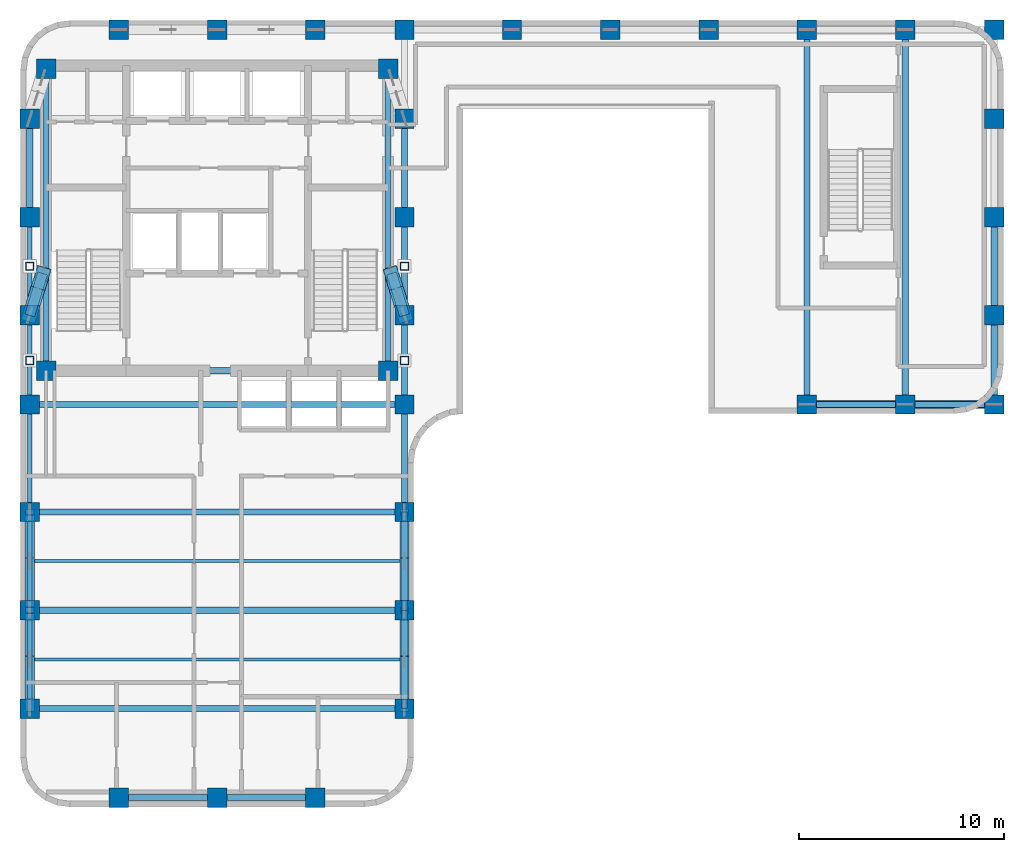
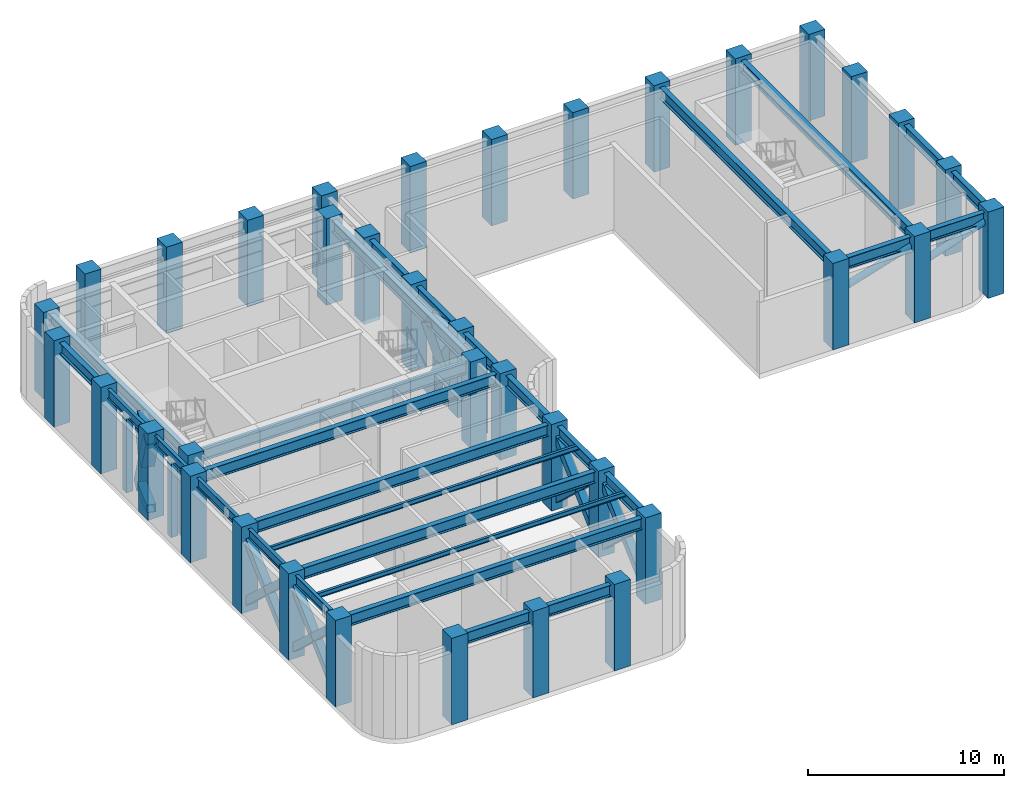
# One storey, part 1 of 9: 37 columns, 29 beams, 28 members.
"""IFC4 building model written with IfcOpenShell, lengths in metres."""

from ifc_helpers import new_model, si_unit, direction, frame, origin, origin_2d, place, context, subcontext, project, spatial, rectangle, hollow_rectangle, hollow_circle, i_section, extrude, material, material_profile, profile_set, type_object, element, save


model = new_model("IFC4")

# Units and contexts
model_context = context("Model", 3, precision=1e-05, world=origin(), true_north=direction((0.0, 1.0)))
body_context = subcontext(model_context, "Body", "Model", "MODEL_VIEW")
ifc_project = project(units=[si_unit("LENGTHUNIT", "METRE"), si_unit("AREAUNIT", "SQUARE_METRE"), si_unit("VOLUMEUNIT", "CUBIC_METRE"), si_unit("PLANEANGLEUNIT", "RADIAN"), si_unit("MASSUNIT", "GRAM", prefix="KILO")], contexts=[model_context])

# Site, building, storey
site_placement = place(None, origin())
site = spatial("IfcSite", under=ifc_project, at=site_placement, CompositionType="ELEMENT")
building_placement = place(site_placement, origin())
building = spatial("IfcBuilding", under=site, at=building_placement, Name="Orvandelia Arch Residences", CompositionType="ELEMENT")
storey_placement = place(building_placement, frame((0.0, 0.0, 198.39990234375)))
storey = spatial("IfcBuildingStorey", under=building, at=storey_placement, Name="L52", CompositionType="ELEMENT", Elevation=198.39990234375)

# Columns
ifc_material_1 = material(Name="Concrete C60/75", Category="concrete")
ifc_material_profile_1 = material_profile(ifc_material_1, rectangle(XDim=0.949951171875, YDim=0.949951171875, at=origin_2d()), Name="Concrete C60/75", Category="concrete")
ifc_profile_set_1 = profile_set([ifc_material_profile_1], Name="Concrete C60/75")
column_type = type_object("IfcColumnType", Name="COL-TWR-950", PredefinedType="COLUMN", material=ifc_profile_set_1)
for number, where, z_axis, x_axis, name in (
    (1, (5.25, 14.39990234375, 0.0), (0.0, 0.0, 1.0), (1.0, 0.0, 0.0), "Structural Column L52-W-W-144"),
    (2, (5.25, 19.199951171875, 0.0), (0.0, 0.0, 1.0), (1.0, 0.0, 0.0), "Structural Column L52-W-W-192"),
    (3, (5.25, 24.0, 0.0), (0.0, 0.0, 1.0), (1.0, 0.0, 0.0), "Structural Column L52-W-W-240"),
    (4, (5.25, 29.25, 0.0), (0.0, 0.0, 1.0), (1.0, 0.0, 0.0), "Structural Column L52-W-W-292"),
    (5, (5.25, 33.60009765625, 0.0), (0.0, 0.0, 1.0), (1.0, 0.0, 0.0), "Structural Column L52-W-W-336"),
    (6, (5.25, 38.39990234375, 0.0), (0.0, 0.0, 1.0), (1.0, 0.0, 0.0), "Structural Column L52-W-W-384"),
    (7, (5.25, 43.199951171875, 0.0), (0.0, 0.0, 1.0), (1.0, 0.0, 0.0), "Structural Column L52-W-W-432"),
    (8, (6.050048828125, 30.89990234375, 0.0), (0.0, 0.0, 1.0), (1.0, 0.0, 0.0), "Structural Column L52-CR-SW"),
    (9, (6.050048828125, 45.64990234375, 0.0), (0.0, 0.0, 1.0), (1.0, 0.0, 0.0), "Structural Column L52-CR-NW"),
    (10, (9.60009765625, 10.050048828125, 0.0), (0.0, 0.0, 1.0), (1.0, 0.0, 0.0), "Structural Column L52-W-S-96"),
    (11, (9.60009765625, 47.550048828125, 0.0), (0.0, 0.0, 1.0), (1.0, 0.0, 0.0), "Structural Column L52-W-N-96"),
    (12, (14.39990234375, 10.050048828125, 0.0), (0.0, 0.0, 1.0), (1.0, 0.0, 0.0), "Structural Column L52-W-S-144"),
    (13, (14.39990234375, 47.550048828125, 0.0), (0.0, 0.0, 1.0), (1.0, 0.0, 0.0), "Structural Column L52-W-N-144"),
    (14, (19.199951171875, 10.050048828125, 0.0), (0.0, 0.0, 1.0), (1.0, 0.0, 0.0), "Structural Column L52-W-S-192"),
    (15, (19.199951171875, 47.550048828125, 0.0), (0.0, 0.0, 1.0), (1.0, 0.0, 0.0), "Structural Column L52-W-N-192"),
    (16, (22.75, 30.89990234375, 0.0), (0.0, 0.0, 1.0), (1.0, 0.0, 0.0), "Structural Column L52-CR-SE"),
    (17, (22.75, 45.64990234375, 0.0), (0.0, 0.0, 1.0), (1.0, 0.0, 0.0), "Structural Column L52-CR-NE"),
    (18, (23.550048828125, 14.39990234375, 0.0), (0.0, 0.0, 1.0), (1.0, 0.0, 0.0), "Structural Column L52-W-E-144"),
    (19, (23.550048828125, 19.199951171875, 0.0), (0.0, 0.0, 1.0), (1.0, 0.0, 0.0), "Structural Column L52-W-E-192"),
    (20, (23.550048828125, 24.0, 0.0), (0.0, 0.0, 1.0), (1.0, 0.0, 0.0), "Structural Column L52-W-E-240"),
    (21, (23.550048828125, 29.25, 0.0), (0.0, 0.0, 1.0), (1.0, 0.0, 0.0), "Structural Column L52-W-E-292"),
    (22, (23.550048828125, 33.60009765625, 0.0), (0.0, 0.0, 1.0), (1.0, 0.0, 0.0), "Structural Column L52-W-E-336"),
    (23, (23.550048828125, 38.39990234375, 0.0), (0.0, 0.0, 1.0), (1.0, 0.0, 0.0), "Structural Column L52-W-E-384"),
    (24, (23.550048828125, 43.199951171875, 0.0), (0.0, 0.0, 1.0), (1.0, 0.0, 0.0), "Structural Column L52-W-E-432"),
    (25, (23.550048828125, 47.550048828125, 0.0), (0.0, 0.0, 1.0), (1.0, 0.0, 0.0), "Structural Column L52-W-N-235"),
    (26, (28.800048828125, 47.550048828125, 0.0), (0.0, 0.0, 1.0), (1.0, 0.0, 0.0), "Structural Column L52-E-N-288"),
    (27, (33.60009765625, 47.550048828125, 0.0), (0.0, 0.0, 1.0), (1.0, 0.0, 0.0), "Structural Column L52-E-N-336"),
    (28, (38.39990234375, 47.550048828125, 0.0), (0.0, 0.0, 1.0), (1.0, 0.0, 0.0), "Structural Column L52-E-N-384"),
    (29, (43.199951171875, 29.25, 0.0), (0.0, 0.0, 1.0), (1.0, 0.0, 0.0), "Structural Column L52-E-S-432"),
    (30, (43.199951171875, 47.550048828125, 0.0), (0.0, 0.0, 1.0), (1.0, 0.0, 0.0), "Structural Column L52-E-N-432"),
    (31, (48.0, 29.25, 0.0), (0.0, 0.0, 1.0), (1.0, 0.0, 0.0), "Structural Column L52-E-S-480"),
    (32, (48.0, 47.550048828125, 0.0), (0.0, 0.0, 1.0), (1.0, 0.0, 0.0), "Structural Column L52-E-N-480"),
    (33, (52.35009765625, 29.25, 0.0), (0.0, 0.0, 1.0), (1.0, 0.0, 0.0), "Structural Column L52-E-S-523"),
    (34, (52.35009765625, 33.60009765625, 0.0), (0.0, 0.0, 1.0), (1.0, 0.0, 0.0), "Structural Column L52-E-523-336"),
    (35, (52.35009765625, 38.39990234375, 0.0), (0.0, 0.0, 1.0), (1.0, 0.0, 0.0), "Structural Column L52-E-523-384"),
    (36, (52.35009765625, 43.199951171875, 0.0), (0.0, 0.0, 1.0), (1.0, 0.0, 0.0), "Structural Column L52-E-523-432"),
    (37, (52.35009765625, 47.550048828125, 0.0), (0.0, 0.0, 1.0), (1.0, 0.0, 0.0), "Structural Column L52-E-N-523"),
):
    element("IfcColumn", number, at=place(storey_placement, frame(where, z_axis=z_axis, x_axis=x_axis)), inside=storey, type_object=column_type, Name=name, PredefinedType="COLUMN", context=body_context, shape_type="SweptSolid", body=[
        extrude(rectangle(XDim=0.949951171875, YDim=0.949951171875, at=origin_2d()), origin(), (0.0, 0.0, 1.0), 5.400146484375),
    ])

# Beams
ifc_material_2 = material(Name="Structural Steel SM355 (355 MPa)", Category="steel")
ifc_material_profile_2 = material_profile(ifc_material_2, i_section(OverallWidth=0.300048828125, OverallDepth=0.699951171875, WebThickness=0.012939453125, FlangeThickness=0.02392578125, FilletRadius=0.02392578125, at=origin_2d()), Name="Structural Steel SM355 (355 MPa)", Category="steel")
ifc_profile_set_2 = profile_set([ifc_material_profile_2], Name="Structural Steel SM355 (355 MPa)")
beam_type_1 = type_object("IfcBeamType", Name="BM-GRD-H700", PredefinedType="BEAM", material=ifc_profile_set_2)
beam_1_placement = place(storey_placement, frame((5.25, 38.39990234375, 4.830078125), z_axis=(0.0, 1.0, 0.0), x_axis=(-1.0, 0.0, 0.0)))
element("IfcBeam", 38, at=beam_1_placement, inside=storey, type_object=beam_type_1, Name="Structural Frame Beam L52-NS-006", PredefinedType="BEAM", context=body_context, shape_type="SweptSolid", body=[
    extrude(i_section(OverallWidth=0.300048828125, OverallDepth=0.699951171875, WebThickness=0.012939453125, FlangeThickness=0.02392578125, FilletRadius=0.02392578125, at=origin_2d()), origin(), (0.0, 0.0, 1.0), 4.800048828125),
])
for number, where, z_axis, x_axis, name in (
    (39, (6.050048828125, 30.89990234375, 4.830078125), (0.0, 1.0, 0.0), (-1.0, 0.0, 0.0), "Structural Frame Beam L52-NS-007"),
    (40, (22.75, 30.89990234375, 4.830078125), (0.0, 1.0, 0.0), (-1.0, 0.0, 0.0), "Structural Frame Beam L52-NS-008"),
):
    element("IfcBeam", number, at=place(storey_placement, frame(where, z_axis=z_axis, x_axis=x_axis)), inside=storey, type_object=beam_type_1, Name=name, PredefinedType="BEAM", context=body_context, shape_type="SweptSolid", body=[
        extrude(i_section(OverallWidth=0.300048828125, OverallDepth=0.699951171875, WebThickness=0.012939453125, FlangeThickness=0.02392578125, FilletRadius=0.02392578125, at=origin_2d()), origin(), (0.0, 0.0, 1.0), 14.75),
    ])
for number, where, z_axis, x_axis, name in (
    (41, (23.550048828125, 14.39990234375, 4.830078125), (0.0, 1.0, 0.0), (-1.0, 0.0, 0.0), "Structural Frame Beam L52-NS-009"),
    (42, (23.550048828125, 19.199951171875, 4.830078125), (0.0, 1.0, 0.0), (-1.0, 0.0, 0.0), "Structural Frame Beam L52-NS-010"),
):
    element("IfcBeam", number, at=place(storey_placement, frame(where, z_axis=z_axis, x_axis=x_axis)), inside=storey, type_object=beam_type_1, Name=name, PredefinedType="BEAM", context=body_context, shape_type="SweptSolid", body=[
        extrude(i_section(OverallWidth=0.300048828125, OverallDepth=0.699951171875, WebThickness=0.012939453125, FlangeThickness=0.02392578125, FilletRadius=0.02392578125, at=origin_2d()), origin(), (0.0, 0.0, 1.0), 4.800048828125),
    ])
beam_2_placement = place(storey_placement, frame((23.550048828125, 24.0, 4.830078125), z_axis=(0.0, 1.0, 0.0), x_axis=(-1.0, 0.0, 0.0)))
element("IfcBeam", 43, at=beam_2_placement, inside=storey, type_object=beam_type_1, Name="Structural Frame Beam L52-NS-011", PredefinedType="BEAM", context=body_context, shape_type="SweptSolid", body=[
    extrude(i_section(OverallWidth=0.300048828125, OverallDepth=0.699951171875, WebThickness=0.012939453125, FlangeThickness=0.02392578125, FilletRadius=0.02392578125, at=origin_2d()), origin(), (0.0, 0.0, 1.0), 5.25),
])
beam_3_placement = place(storey_placement, frame((23.550048828125, 29.25, 4.830078125), z_axis=(0.0, 1.0, 0.0), x_axis=(-1.0, 0.0, 0.0)))
element("IfcBeam", 44, at=beam_3_placement, inside=storey, type_object=beam_type_1, Name="Structural Frame Beam L52-NS-012", PredefinedType="BEAM", context=body_context, shape_type="SweptSolid", body=[
    extrude(i_section(OverallWidth=0.300048828125, OverallDepth=0.699951171875, WebThickness=0.012939453125, FlangeThickness=0.02392578125, FilletRadius=0.02392578125, at=origin_2d()), origin(), (0.0, 0.0, 1.0), 4.35009765625),
])
beam_4_placement = place(storey_placement, frame((23.550048828125, 33.60009765625, 4.830078125), z_axis=(0.0, 1.0, 0.0), x_axis=(-1.0, 0.0, 0.0)))
element("IfcBeam", 45, at=beam_4_placement, inside=storey, type_object=beam_type_1, Name="Structural Frame Beam L52-NS-013", PredefinedType="BEAM", context=body_context, shape_type="SweptSolid", body=[
    extrude(i_section(OverallWidth=0.300048828125, OverallDepth=0.699951171875, WebThickness=0.012939453125, FlangeThickness=0.02392578125, FilletRadius=0.02392578125, at=origin_2d()), origin(), (0.0, 0.0, 1.0), 4.7998046875),
])
beam_5_placement = place(storey_placement, frame((23.550048828125, 38.39990234375, 4.830078125), z_axis=(0.0, 1.0, 0.0), x_axis=(-1.0, 0.0, 0.0)))
element("IfcBeam", 46, at=beam_5_placement, inside=storey, type_object=beam_type_1, Name="Structural Frame Beam L52-NS-014", PredefinedType="BEAM", context=body_context, shape_type="SweptSolid", body=[
    extrude(i_section(OverallWidth=0.300048828125, OverallDepth=0.699951171875, WebThickness=0.012939453125, FlangeThickness=0.02392578125, FilletRadius=0.02392578125, at=origin_2d()), origin(), (0.0, 0.0, 1.0), 4.800048828125),
])
for number, where, z_axis, x_axis, name in (
    (47, (43.199951171875, 29.25, 4.830078125), (0.0, 1.0, 0.0), (-1.0, 0.0, 0.0), "Structural Frame Beam L52-NS-016"),
    (48, (48.0, 29.25, 4.830078125), (0.0, 1.0, 0.0), (-1.0, 0.0, 0.0), "Structural Frame Beam L52-NS-017"),
):
    element("IfcBeam", number, at=place(storey_placement, frame(where, z_axis=z_axis, x_axis=x_axis)), inside=storey, type_object=beam_type_1, Name=name, PredefinedType="BEAM", context=body_context, shape_type="SweptSolid", body=[
        extrude(i_section(OverallWidth=0.300048828125, OverallDepth=0.699951171875, WebThickness=0.012939453125, FlangeThickness=0.02392578125, FilletRadius=0.02392578125, at=origin_2d()), origin(), (0.0, 0.0, 1.0), 18.300048828125),
    ])
beam_6_placement = place(storey_placement, frame((52.35009765625, 29.25, 4.830078125), z_axis=(0.0, 1.0, 0.0), x_axis=(-1.0, 0.0, 0.0)))
element("IfcBeam", 49, at=beam_6_placement, inside=storey, type_object=beam_type_1, Name="Structural Frame Beam L52-NS-018", PredefinedType="BEAM", context=body_context, shape_type="SweptSolid", body=[
    extrude(i_section(OverallWidth=0.300048828125, OverallDepth=0.699951171875, WebThickness=0.012939453125, FlangeThickness=0.02392578125, FilletRadius=0.02392578125, at=origin_2d()), origin(), (0.0, 0.0, 1.0), 4.35009765625),
])
for number, where, z_axis, x_axis, name in (
    (50, (52.35009765625, 33.60009765625, 4.830078125), (0.0, 1.0, 0.0), (-1.0, 0.0, 0.0), "Structural Frame Beam L52-NS-019"),
    (51, (9.60009765625, 10.050048828125, 4.830078125), (1.0, 0.0, 0.0), (0.0, 1.0, 0.0), "Structural Frame Girder L52-EW-022"),
):
    element("IfcBeam", number, at=place(storey_placement, frame(where, z_axis=z_axis, x_axis=x_axis)), inside=storey, type_object=beam_type_1, Name=name, PredefinedType="BEAM", context=body_context, shape_type="SweptSolid", body=[
        extrude(i_section(OverallWidth=0.300048828125, OverallDepth=0.699951171875, WebThickness=0.012939453125, FlangeThickness=0.02392578125, FilletRadius=0.02392578125, at=origin_2d()), origin(), (0.0, 0.0, 1.0), 4.7998046875),
    ])
beam_7_placement = place(storey_placement, frame((14.39990234375, 10.050048828125, 4.830078125), z_axis=(1.0, 0.0, 0.0), x_axis=(0.0, 1.0, 0.0)))
element("IfcBeam", 52, at=beam_7_placement, inside=storey, type_object=beam_type_1, Name="Structural Frame Girder L52-EW-023", PredefinedType="BEAM", context=body_context, shape_type="SweptSolid", body=[
    extrude(i_section(OverallWidth=0.300048828125, OverallDepth=0.699951171875, WebThickness=0.012939453125, FlangeThickness=0.02392578125, FilletRadius=0.02392578125, at=origin_2d()), origin(), (0.0, 0.0, 1.0), 4.800048828125),
])
for number, where, z_axis, x_axis, name in (
    (53, (5.25, 14.39990234375, 4.830078125), (1.0, 0.0, 0.0), (0.0, 1.0, 0.0), "Structural Frame Girder L52-EW-024"),
    (54, (5.25, 19.199951171875, 4.830078125), (1.0, 0.0, 0.0), (0.0, 1.0, 0.0), "Structural Frame Girder L52-EW-025"),
    (55, (5.25, 24.0, 4.830078125), (1.0, 0.0, 0.0), (0.0, 1.0, 0.0), "Structural Frame Girder L52-EW-026"),
    (56, (5.25, 29.25, 4.830078125), (1.0, 0.0, 0.0), (0.0, 1.0, 0.0), "Structural Frame Girder L52-EW-027"),
):
    element("IfcBeam", number, at=place(storey_placement, frame(where, z_axis=z_axis, x_axis=x_axis)), inside=storey, type_object=beam_type_1, Name=name, PredefinedType="BEAM", context=body_context, shape_type="SweptSolid", body=[
        extrude(i_section(OverallWidth=0.300048828125, OverallDepth=0.699951171875, WebThickness=0.012939453125, FlangeThickness=0.02392578125, FilletRadius=0.02392578125, at=origin_2d()), origin(), (0.0, 0.0, 1.0), 18.300048828125),
    ])
beam_8_placement = place(storey_placement, frame((43.199951171875, 29.25, 4.830078125), z_axis=(1.0, 0.0, 0.0), x_axis=(0.0, 1.0, 0.0)))
element("IfcBeam", 57, at=beam_8_placement, inside=storey, type_object=beam_type_1, Name="Structural Frame Girder L52-EW-028", PredefinedType="BEAM", context=body_context, shape_type="SweptSolid", body=[
    extrude(i_section(OverallWidth=0.300048828125, OverallDepth=0.699951171875, WebThickness=0.012939453125, FlangeThickness=0.02392578125, FilletRadius=0.02392578125, at=origin_2d()), origin(), (0.0, 0.0, 1.0), 4.800048828125),
])
beam_9_placement = place(storey_placement, frame((48.0, 29.25, 4.830078125), z_axis=(1.0, 0.0, 0.0), x_axis=(0.0, 1.0, 0.0)))
element("IfcBeam", 58, at=beam_9_placement, inside=storey, type_object=beam_type_1, Name="Structural Frame Girder L52-EW-029", PredefinedType="BEAM", context=body_context, shape_type="SweptSolid", body=[
    extrude(i_section(OverallWidth=0.300048828125, OverallDepth=0.699951171875, WebThickness=0.012939453125, FlangeThickness=0.02392578125, FilletRadius=0.02392578125, at=origin_2d()), origin(), (0.0, 0.0, 1.0), 4.35009765625),
])
beam_10_placement = place(storey_placement, frame((6.050048828125, 30.89990234375, 4.830078125), z_axis=(1.0, 0.0, 0.0), x_axis=(0.0, 1.0, 0.0)))
element("IfcBeam", 59, at=beam_10_placement, inside=storey, type_object=beam_type_1, Name="Structural Frame Girder L52-EW-030", PredefinedType="BEAM", context=body_context, shape_type="SweptSolid", body=[
    extrude(i_section(OverallWidth=0.300048828125, OverallDepth=0.699951171875, WebThickness=0.012939453125, FlangeThickness=0.02392578125, FilletRadius=0.02392578125, at=origin_2d()), origin(), (0.0, 0.0, 1.0), 16.699951171875),
])
ifc_material_profile_3 = material_profile(ifc_material_2, i_section(OverallWidth=0.14990234375, OverallDepth=0.300048828125, WebThickness=0.006591796875, FlangeThickness=0.009033203125, FilletRadius=0.012939453125, at=origin_2d()), Name="Structural Steel SM355 (355 MPa)", Category="steel")
ifc_profile_set_3 = profile_set([ifc_material_profile_3], Name="Structural Steel SM355 (355 MPa)")
beam_type_2 = type_object("IfcBeamType", Name="BM-JST-H300", PredefinedType="JOIST", material=ifc_profile_set_3)
for number, where, z_axis, x_axis, name in (
    (60, (5.25, 16.800048828125, 5.030029296875), (1.0, 0.0, 0.0), (0.0, 1.0, 0.0), "Composite Floor Joist L52-J1"),
    (61, (5.25, 21.60009765625, 5.030029296875), (1.0, 0.0, 0.0), (0.0, 1.0, 0.0), "Composite Floor Joist L52-J2"),
):
    element("IfcBeam", number, at=place(storey_placement, frame(where, z_axis=z_axis, x_axis=x_axis)), inside=storey, type_object=beam_type_2, Name=name, PredefinedType="JOIST", context=body_context, shape_type="SweptSolid", body=[
        extrude(i_section(OverallWidth=0.14990234375, OverallDepth=0.300048828125, WebThickness=0.006591796875, FlangeThickness=0.009033203125, FilletRadius=0.012939453125, at=origin_2d()), origin(), (0.0, 0.0, 1.0), 18.300048828125),
    ])
ifc_material_profile_4 = material_profile(ifc_material_2, i_section(OverallWidth=0.199951171875, OverallDepth=0.60009765625, WebThickness=0.010986328125, FlangeThickness=0.01708984375, FilletRadius=0.02197265625, at=origin_2d()), Name="Structural Steel SM355 (355 MPa)", Category="steel")
ifc_profile_set_4 = profile_set([ifc_material_profile_4], Name="Structural Steel SM355 (355 MPa)")
beam_type_3 = type_object("IfcBeamType", Name="BM-SPN-H600", PredefinedType="SPANDREL", material=ifc_profile_set_4)
for number, where, z_axis, x_axis, name in (
    (62, (5.25, 14.39990234375, 4.880126953125), (0.0, 1.0, 0.0), (-1.0, 0.0, 0.0), "Structural Frame Beam L52-NS-001"),
    (63, (5.25, 19.199951171875, 4.880126953125), (0.0, 1.0, 0.0), (-1.0, 0.0, 0.0), "Structural Frame Beam L52-NS-002"),
):
    element("IfcBeam", number, at=place(storey_placement, frame(where, z_axis=z_axis, x_axis=x_axis)), inside=storey, type_object=beam_type_3, Name=name, PredefinedType="SPANDREL", context=body_context, shape_type="SweptSolid", body=[
        extrude(i_section(OverallWidth=0.199951171875, OverallDepth=0.60009765625, WebThickness=0.010986328125, FlangeThickness=0.01708984375, FilletRadius=0.02197265625, at=origin_2d()), origin(), (0.0, 0.0, 1.0), 4.800048828125),
    ])
beam_11_placement = place(storey_placement, frame((5.25, 24.0, 4.880126953125), z_axis=(0.0, 1.0, 0.0), x_axis=(-1.0, 0.0, 0.0)))
element("IfcBeam", 64, at=beam_11_placement, inside=storey, type_object=beam_type_3, Name="Structural Frame Beam L52-NS-003", PredefinedType="SPANDREL", context=body_context, shape_type="SweptSolid", body=[
    extrude(i_section(OverallWidth=0.199951171875, OverallDepth=0.60009765625, WebThickness=0.010986328125, FlangeThickness=0.01708984375, FilletRadius=0.02197265625, at=origin_2d()), origin(), (0.0, 0.0, 1.0), 5.25),
])
beam_12_placement = place(storey_placement, frame((5.25, 29.25, 4.880126953125), z_axis=(0.0, 1.0, 0.0), x_axis=(-1.0, 0.0, 0.0)))
element("IfcBeam", 65, at=beam_12_placement, inside=storey, type_object=beam_type_3, Name="Structural Frame Beam L52-NS-004", PredefinedType="SPANDREL", context=body_context, shape_type="SweptSolid", body=[
    extrude(i_section(OverallWidth=0.199951171875, OverallDepth=0.60009765625, WebThickness=0.010986328125, FlangeThickness=0.01708984375, FilletRadius=0.02197265625, at=origin_2d()), origin(), (0.0, 0.0, 1.0), 4.35009765625),
])
beam_13_placement = place(storey_placement, frame((5.25, 33.60009765625, 4.880126953125), z_axis=(0.0, 1.0, 0.0), x_axis=(-1.0, 0.0, 0.0)))
element("IfcBeam", 66, at=beam_13_placement, inside=storey, type_object=beam_type_3, Name="Structural Frame Beam L52-NS-005", PredefinedType="SPANDREL", context=body_context, shape_type="SweptSolid", body=[
    extrude(i_section(OverallWidth=0.199951171875, OverallDepth=0.60009765625, WebThickness=0.010986328125, FlangeThickness=0.01708984375, FilletRadius=0.02197265625, at=origin_2d()), origin(), (0.0, 0.0, 1.0), 4.7998046875),
])

# Members
ifc_material_3 = material(Name="Structural Steel HSA650 (650 MPa)", Category="steel")
ifc_material_profile_5 = material_profile(ifc_material_3, hollow_rectangle(XDim=0.449951171875, YDim=0.449951171875, WallThickness=0.02490234375, at=origin_2d()), Name="Structural Steel HSA650 (650 MPa)", Category="steel")
ifc_profile_set_5 = profile_set([ifc_material_profile_5], Name="Structural Steel HSA650 (650 MPa)")
member_type_1 = type_object("IfcMemberType", Name="MBR-BELT-DIAG", PredefinedType="BRACE", material=ifc_profile_set_5)
member_1_placement = place(storey_placement, frame((5.25, 14.39990234375, 0.300048828125), z_axis=(0.0, 0.7348707914, 0.678207136461), x_axis=(-1.0, 0.0, 0.0)))
element("IfcMember", 67, at=member_1_placement, inside=storey, type_object=member_type_1, Name="Perimeter Belt Truss Diagonal L52-BW-1-1", PredefinedType="BRACE", context=body_context, shape_type="SweptSolid", body=[
    extrude(hollow_rectangle(XDim=0.449951171875, YDim=0.449951171875, WallThickness=0.02490234375, at=origin_2d()), origin(), (0.0, 0.0, 1.0), 6.53173828125),
])
for number, where, z_axis, x_axis, name in (
    (68, (5.25, 19.199951171875, 0.300048828125), (0.0, -0.734852389605, 0.678227075169), (1.0, 0.0, 0.0), "Perimeter Belt Truss Split Diagonal Lower L52-BW-1-2A"),
    (69, (5.25, 16.7890625, 2.525390625), (0.0, -0.734924360047, 0.678149087597), (1.0, 0.0, 0.0), "Perimeter Belt Truss Split Diagonal Upper L52-BW-1-2B"),
):
    element("IfcMember", number, at=place(storey_placement, frame(where, z_axis=z_axis, x_axis=x_axis)), inside=storey, type_object=member_type_1, Name=name, PredefinedType="BRACE", context=body_context, shape_type="SweptSolid", body=[
        extrude(hollow_rectangle(XDim=0.449951171875, YDim=0.449951171875, WallThickness=0.02490234375, at=origin_2d()), origin(), (0.0, 0.0, 1.0), 3.2509765625),
    ])
member_2_placement = place(storey_placement, frame((5.25, 19.199951171875, 0.300048828125), z_axis=(0.0, 0.7348707914, 0.678207136461), x_axis=(-1.0, 0.0, 0.0)))
element("IfcMember", 70, at=member_2_placement, inside=storey, type_object=member_type_1, Name="Perimeter Belt Truss Diagonal L52-BW-2-1", PredefinedType="BRACE", context=body_context, shape_type="SweptSolid", body=[
    extrude(hollow_rectangle(XDim=0.449951171875, YDim=0.449951171875, WallThickness=0.02490234375, at=origin_2d()), origin(), (0.0, 0.0, 1.0), 6.53173828125),
])
for number, where, z_axis, x_axis, name in (
    (71, (5.25, 24.0, 0.300048828125), (0.0, -0.734852389605, 0.678227075169), (1.0, 0.0, 0.0), "Perimeter Belt Truss Split Diagonal Lower L52-BW-2-2A"),
    (72, (5.25, 21.589111328125, 2.525390625), (0.0, -0.734924360047, 0.678149087597), (1.0, 0.0, 0.0), "Perimeter Belt Truss Split Diagonal Upper L52-BW-2-2B"),
):
    element("IfcMember", number, at=place(storey_placement, frame(where, z_axis=z_axis, x_axis=x_axis)), inside=storey, type_object=member_type_1, Name=name, PredefinedType="BRACE", context=body_context, shape_type="SweptSolid", body=[
        extrude(hollow_rectangle(XDim=0.449951171875, YDim=0.449951171875, WallThickness=0.02490234375, at=origin_2d()), origin(), (0.0, 0.0, 1.0), 3.2509765625),
    ])
member_3_placement = place(storey_placement, frame((23.550048828125, 14.39990234375, 0.300048828125), z_axis=(0.0, 0.7348707914, 0.678207136461), x_axis=(-1.0, 0.0, 0.0)))
element("IfcMember", 73, at=member_3_placement, inside=storey, type_object=member_type_1, Name="Perimeter Belt Truss Diagonal L52-BE-1-1", PredefinedType="BRACE", context=body_context, shape_type="SweptSolid", body=[
    extrude(hollow_rectangle(XDim=0.449951171875, YDim=0.449951171875, WallThickness=0.02490234375, at=origin_2d()), origin(), (0.0, 0.0, 1.0), 6.53173828125),
])
for number, where, z_axis, x_axis, name in (
    (74, (23.550048828125, 19.199951171875, 0.300048828125), (0.0, -0.734852389605, 0.678227075169), (1.0, 0.0, 0.0), "Perimeter Belt Truss Split Diagonal Lower L52-BE-1-2A"),
    (75, (23.550048828125, 16.7890625, 2.525390625), (0.0, -0.734924360047, 0.678149087597), (1.0, 0.0, 0.0), "Perimeter Belt Truss Split Diagonal Upper L52-BE-1-2B"),
):
    element("IfcMember", number, at=place(storey_placement, frame(where, z_axis=z_axis, x_axis=x_axis)), inside=storey, type_object=member_type_1, Name=name, PredefinedType="BRACE", context=body_context, shape_type="SweptSolid", body=[
        extrude(hollow_rectangle(XDim=0.449951171875, YDim=0.449951171875, WallThickness=0.02490234375, at=origin_2d()), origin(), (0.0, 0.0, 1.0), 3.2509765625),
    ])
member_4_placement = place(storey_placement, frame((23.550048828125, 19.199951171875, 0.300048828125), z_axis=(0.0, 0.7348707914, 0.678207136461), x_axis=(-1.0, 0.0, 0.0)))
element("IfcMember", 76, at=member_4_placement, inside=storey, type_object=member_type_1, Name="Perimeter Belt Truss Diagonal L52-BE-2-1", PredefinedType="BRACE", context=body_context, shape_type="SweptSolid", body=[
    extrude(hollow_rectangle(XDim=0.449951171875, YDim=0.449951171875, WallThickness=0.02490234375, at=origin_2d()), origin(), (0.0, 0.0, 1.0), 6.53173828125),
])
for number, where, z_axis, x_axis, name in (
    (77, (23.550048828125, 24.0, 0.300048828125), (0.0, -0.734852389605, 0.678227075169), (1.0, 0.0, 0.0), "Perimeter Belt Truss Split Diagonal Lower L52-BE-2-2A"),
    (78, (23.550048828125, 21.589111328125, 2.525390625), (0.0, -0.734924360047, 0.678149087597), (1.0, 0.0, 0.0), "Perimeter Belt Truss Split Diagonal Upper L52-BE-2-2B"),
):
    element("IfcMember", number, at=place(storey_placement, frame(where, z_axis=z_axis, x_axis=x_axis)), inside=storey, type_object=member_type_1, Name=name, PredefinedType="BRACE", context=body_context, shape_type="SweptSolid", body=[
        extrude(hollow_rectangle(XDim=0.449951171875, YDim=0.449951171875, WallThickness=0.02490234375, at=origin_2d()), origin(), (0.0, 0.0, 1.0), 3.2509765625),
    ])
ifc_material_profile_6 = material_profile(ifc_material_2, hollow_rectangle(XDim=0.39990234375, YDim=0.39990234375, WallThickness=0.02197265625, at=origin_2d()), Name="Structural Steel SM355 (355 MPa)", Category="steel")
ifc_profile_set_6 = profile_set([ifc_material_profile_6], Name="Structural Steel SM355 (355 MPa)")
member_type_2 = type_object("IfcMemberType", Name="MBR-BELT-POST", PredefinedType="POST", material=ifc_profile_set_6)
for number, where, z_axis, x_axis, name in (
    (79, (5.25, 31.39990234375, 0.0), (0.0, 0.0, 1.0), (1.0, 0.0, 0.0), "Belt Truss Vertical Post L52-BPW-1"),
    (80, (5.25, 36.0, 0.0), (0.0, 0.0, 1.0), (1.0, 0.0, 0.0), "Belt Truss Vertical Post L52-BPW-2"),
    (81, (23.550048828125, 31.39990234375, 0.0), (0.0, 0.0, 1.0), (1.0, 0.0, 0.0), "Belt Truss Vertical Post L52-BPE-1"),
    (82, (23.550048828125, 36.0, 0.0), (0.0, 0.0, 1.0), (1.0, 0.0, 0.0), "Belt Truss Vertical Post L52-BPE-2"),
):
    element("IfcMember", number, at=place(storey_placement, frame(where, z_axis=z_axis, x_axis=x_axis)), inside=storey, type_object=member_type_2, Name=name, PredefinedType="POST", context=body_context, shape_type="SweptSolid", body=[
        extrude(hollow_rectangle(XDim=0.39990234375, YDim=0.39990234375, WallThickness=0.02197265625, at=origin_2d()), origin(), (0.0, 0.0, 1.0), 4.72998046875),
    ])
ifc_material_profile_7 = material_profile(ifc_material_3, hollow_circle(Radius=0.203125, WallThickness=0.01611328125, at=origin_2d()), Name="Structural Steel HSA650 (650 MPa)", Category="steel")
ifc_profile_set_7 = profile_set([ifc_material_profile_7], Name="Structural Steel HSA650 (650 MPa)")
member_type_3 = type_object("IfcMemberType", Name="MBR-NOTCH-STRUT", PredefinedType="STRUT", material=ifc_profile_set_7)
member_5_placement = place(storey_placement, frame((43.199951171875, 29.25, 3.2001953125), z_axis=(0.955608602252, 0.0, 0.294639100089), x_axis=(0.0, 1.0, 0.0)))
element("IfcMember", 83, at=member_5_placement, inside=storey, type_object=member_type_3, Name="Faceted Sky-Garden Soffit Strut L52-1", PredefinedType="STRUT", context=body_context, shape_type="SweptSolid", body=[
    extrude(hollow_circle(Radius=0.203125, WallThickness=0.01611328125, at=origin_2d()), origin(), (0.0, 0.0, 1.0), 5.02294921875),
])
member_6_placement = place(storey_placement, frame((48.0, 29.25, 3.2001953125), z_axis=(0.946709897793, 0.0, 0.322087518264), x_axis=(0.0, 1.0, 0.0)))
element("IfcMember", 84, at=member_6_placement, inside=storey, type_object=member_type_3, Name="Faceted Sky-Garden Soffit Strut L52-2", PredefinedType="STRUT", context=body_context, shape_type="SweptSolid", body=[
    extrude(hollow_circle(Radius=0.203125, WallThickness=0.01611328125, at=origin_2d()), origin(), (0.0, 0.0, 1.0), 4.594970703125),
])
ifc_material_profile_8 = material_profile(ifc_material_3, hollow_rectangle(XDim=0.5, YDim=0.5, WallThickness=0.028076171875, at=origin_2d()), Name="Structural Steel HSA650 (650 MPa)", Category="steel")
ifc_profile_set_8 = profile_set([ifc_material_profile_8], Name="Structural Steel HSA650 (650 MPa)")
member_type_4 = type_object("IfcMemberType", Name="MBR-OUTRIGGER-CHORD", PredefinedType="CHORD", material=ifc_profile_set_8)
for number, where, z_axis, x_axis, name in (
    (85, (5.25, 33.60009765625, 0.300048828125), (0.293733816022, 0.955887255551, 0.0), (-0.955887255551, 0.293733816022, 0.0), "Outrigger Bottom Chord L52-OW-S"),
    (86, (5.25, 33.60009765625, 4.72998046875), (0.293733816022, 0.955887255551, 0.0), (-0.955887255551, 0.293733816022, 0.0), "Outrigger Top Chord L52-OW-S"),
):
    element("IfcMember", number, at=place(storey_placement, frame(where, z_axis=z_axis, x_axis=x_axis)), inside=storey, type_object=member_type_4, Name=name, PredefinedType="CHORD", context=body_context, shape_type="SweptSolid", body=[
        extrude(hollow_rectangle(XDim=0.5, YDim=0.5, WallThickness=0.028076171875, at=origin_2d()), origin(), (0.0, 0.0, 1.0), 2.144287109375),
    ])
for number, where, z_axis, x_axis, name in (
    (87, (23.550048828125, 33.60009765625, 0.300048828125), (-0.293837838165, 0.955855284477, 0.0), (-0.955855284477, -0.293837838165, 0.0), "Outrigger Bottom Chord L52-OE-S"),
    (88, (23.550048828125, 33.60009765625, 4.72998046875), (-0.293837838165, 0.955855284477, 0.0), (-0.955855284477, -0.293837838165, 0.0), "Outrigger Top Chord L52-OE-S"),
):
    element("IfcMember", number, at=place(storey_placement, frame(where, z_axis=z_axis, x_axis=x_axis)), inside=storey, type_object=member_type_4, Name=name, PredefinedType="CHORD", context=body_context, shape_type="SweptSolid", body=[
        extrude(hollow_rectangle(XDim=0.5, YDim=0.5, WallThickness=0.028076171875, at=origin_2d()), origin(), (0.0, 0.0, 1.0), 2.14453125),
    ])
ifc_material_profile_9 = material_profile(ifc_material_3, hollow_rectangle(XDim=0.699951171875, YDim=0.699951171875, WallThickness=0.0400390625, at=origin_2d()), Name="Structural Steel HSA650 (650 MPa)", Category="steel")
ifc_profile_set_9 = profile_set([ifc_material_profile_9], Name="Structural Steel HSA650 (650 MPa)")
member_type_5 = type_object("IfcMemberType", Name="MBR-OUTRIGGER-DIAG", PredefinedType="BRACE", material=ifc_profile_set_9)
member_7_placement = place(storey_placement, frame((5.25, 33.60009765625, 0.35009765625), z_axis=(0.130357088963, 0.424216325168, 0.896129197615), x_axis=(-0.955887255551, 0.293733816022, 0.0)))
element("IfcMember", 89, at=member_7_placement, inside=storey, type_object=member_type_5, Name="Outrigger Web Diagonal L52-OW-S-1", PredefinedType="BRACE", context=body_context, shape_type="SweptSolid", body=[
    extrude(hollow_rectangle(XDim=0.699951171875, YDim=0.699951171875, WallThickness=0.0400390625, at=origin_2d()), origin(), (0.0, 0.0, 1.0), 4.83203125),
])
for number, where, z_axis, x_axis, name in (
    (90, (5.8798828125, 35.64990234375, 0.35009765625), (-0.130356952417, -0.424219349053, 0.896127786002), (0.955887929818, -0.293731621771, 0.0), "Outrigger Split Diagonal Lower L52-OW-S-2A"),
    (91, (5.56298828125, 34.61865234375, 2.528564453125), (-0.130356952417, -0.424219349053, 0.896127786002), (0.955887929818, -0.293731621771, 0.0), "Outrigger Split Diagonal Upper L52-OW-S-2B"),
):
    element("IfcMember", number, at=place(storey_placement, frame(where, z_axis=z_axis, x_axis=x_axis)), inside=storey, type_object=member_type_5, Name=name, PredefinedType="BRACE", context=body_context, shape_type="SweptSolid", body=[
        extrude(hollow_rectangle(XDim=0.699951171875, YDim=0.699951171875, WallThickness=0.0400390625, at=origin_2d()), origin(), (0.0, 0.0, 1.0), 2.401123046875),
    ])
member_8_placement = place(storey_placement, frame((23.550048828125, 33.60009765625, 0.35009765625), z_axis=(-0.130406755889, 0.424213530586, 0.896123294244), x_axis=(-0.955855284477, -0.293837838165, 0.0)))
element("IfcMember", 92, at=member_8_placement, inside=storey, type_object=member_type_5, Name="Outrigger Web Diagonal L52-OE-S-1", PredefinedType="BRACE", context=body_context, shape_type="SweptSolid", body=[
    extrude(hollow_rectangle(XDim=0.699951171875, YDim=0.699951171875, WallThickness=0.0400390625, at=origin_2d()), origin(), (0.0, 0.0, 1.0), 4.83203125),
])
for number, where, z_axis, x_axis, name in (
    (93, (22.919921875, 35.64990234375, 0.35009765625), (0.130356952417, -0.424219349053, 0.896127786002), (0.955887929818, 0.293731621771, 0.0), "Outrigger Split Diagonal Lower L52-OE-S-2A"),
    (94, (23.237060546875, 34.61865234375, 2.528564453125), (0.130356952417, -0.424219349053, 0.896127786002), (0.955887929818, 0.293731621771, 0.0), "Outrigger Split Diagonal Upper L52-OE-S-2B"),
):
    element("IfcMember", number, at=place(storey_placement, frame(where, z_axis=z_axis, x_axis=x_axis)), inside=storey, type_object=member_type_5, Name=name, PredefinedType="BRACE", context=body_context, shape_type="SweptSolid", body=[
        extrude(hollow_rectangle(XDim=0.699951171875, YDim=0.699951171875, WallThickness=0.0400390625, at=origin_2d()), origin(), (0.0, 0.0, 1.0), 2.401123046875),
    ])

save(model, "model.ifc")
